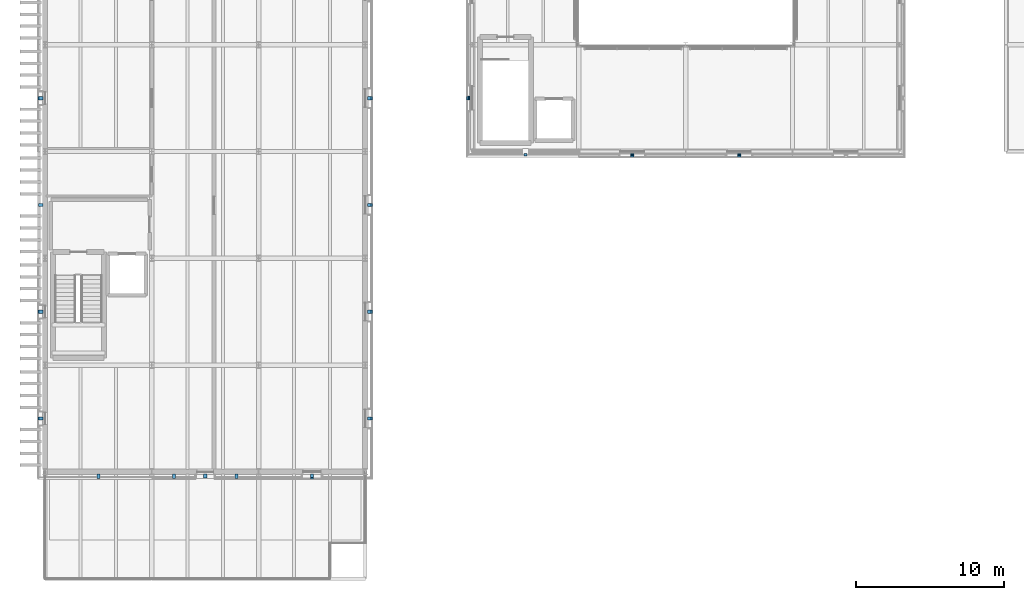
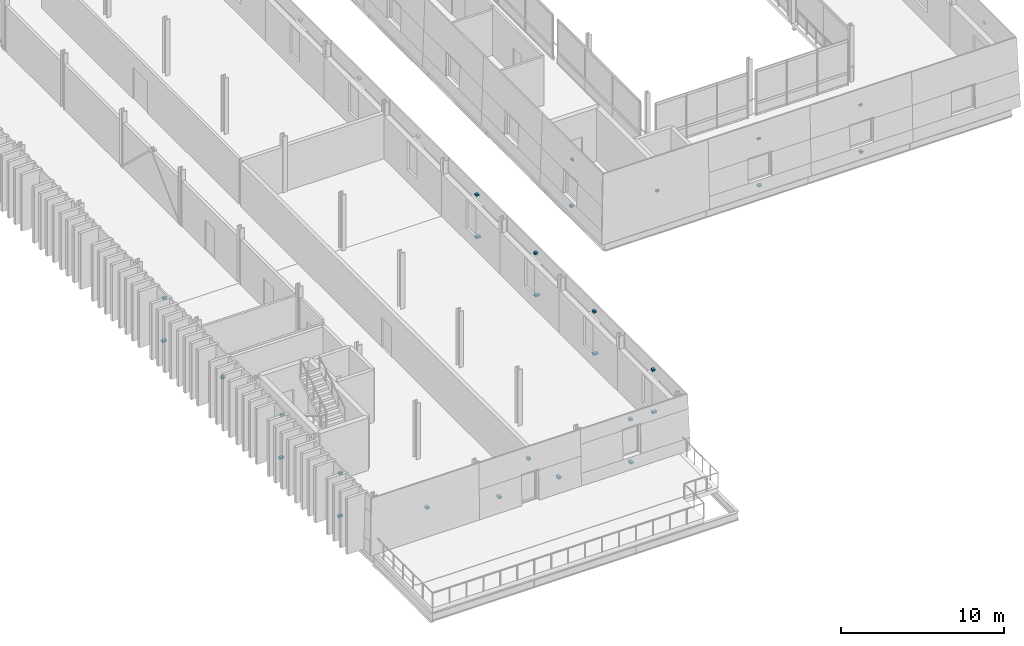
# One storey, part 51 of 66: 28 discrete accessories.
"""IFC4 building model written with IfcOpenShell, lengths in metres."""

from ifc_helpers import new_model, si_unit, direction, frame, origin, origin_2d, place, context, subcontext, project, spatial, rectangle, extrude, material, layer, layer_set, type_object, element, save


model = new_model("IFC4")

# Units and contexts
model_context = context("Model", 3, precision=1e-05, world=origin(), true_north=direction((0.0, 1.0)))
body_context = subcontext(model_context, "Body", "Model", "MODEL_VIEW")
ifc_project = project(units=[si_unit("LENGTHUNIT", "METRE"), si_unit("AREAUNIT", "SQUARE_METRE"), si_unit("VOLUMEUNIT", "CUBIC_METRE"), si_unit("PLANEANGLEUNIT", "RADIAN"), si_unit("MASSUNIT", "GRAM", prefix="KILO")], contexts=[model_context])

# Site, building, storey
site_placement = place(None, origin())
site = spatial("IfcSite", under=ifc_project, at=site_placement, CompositionType="ELEMENT")
building_placement = place(site_placement, origin())
building = spatial("IfcBuilding", under=site, at=building_placement, Name="Narikvali Park Central Library", CompositionType="ELEMENT")
storey_placement = place(building_placement, frame((0.0, 0.0, 18.60009765625)))
storey = spatial("IfcBuildingStorey", under=building, at=storey_placement, Name="L04", CompositionType="ELEMENT", Elevation=18.60009765625)

# Discrete accessories
ifc_material = material(Name="Brushed Stainless Steel S355", Category="steel")
ifc_layer = layer(ifc_material, 0.139892578125, Name="Brushed Stainless Steel S355")
ifc_layer_set = layer_set([ifc_layer], Name="Brushed Stainless Steel S355")
discrete_accessory_type = type_object("IfcDiscreteAccessoryType", Name="Cladding Stainless Tie-Back Corbel Bracket", PredefinedType="BRACKET", material=ifc_layer_set)
discrete_accessory_1_placement = place(storey_placement, frame((32.39990234375, 57.37158203125, 2.5048828125), z_axis=(0.0, 0.0, 1.0), x_axis=(1.0, 0.0, 0.0)))
element("IfcDiscreteAccessory", 1, at=discrete_accessory_1_placement, inside=storey, type_object=discrete_accessory_type, Name="Limestone Cladding Tie-Back Bracket V4-CLD-L04-S-B01-FULL", PredefinedType="BRACKET", context=body_context, shape_type="SweptSolid", body=[
    extrude(rectangle(XDim=0.219970703125, YDim=0.15673828125, at=origin_2d()), origin(), (0.0, 0.0, 1.0), 0.139892578125),
])
discrete_accessory_2_placement = place(storey_placement, frame((39.60009765625, 57.336181640625, 0.40478515625), z_axis=(0.0, 0.0, 1.0), x_axis=(1.0, 0.0, 0.0)))
element("IfcDiscreteAccessory", 2, at=discrete_accessory_2_placement, inside=storey, type_object=discrete_accessory_type, Name="Limestone Cladding Tie-Back Bracket V4-CLD-L04-S-B02-SP", PredefinedType="BRACKET", context=body_context, shape_type="SweptSolid", body=[
    extrude(rectangle(XDim=0.219970703125, YDim=0.2275390625, at=origin_2d()), origin(), (0.0, 0.0, 1.0), 0.139892578125),
])
discrete_accessory_3_placement = place(storey_placement, frame((39.60009765625, 57.394287109375, 3.85498046875), z_axis=(0.0, 0.0, 1.0), x_axis=(1.0, 0.0, 0.0)))
element("IfcDiscreteAccessory", 3, at=discrete_accessory_3_placement, inside=storey, type_object=discrete_accessory_type, Name="Limestone Cladding Tie-Back Bracket V4-CLD-L04-S-B02-LN", PredefinedType="BRACKET", context=body_context, shape_type="SweptSolid", body=[
    extrude(rectangle(XDim=0.219970703125, YDim=0.111083984375, at=origin_2d()), origin(), (0.0, 0.0, 1.0), 0.139892578125),
])
discrete_accessory_4_placement = place(storey_placement, frame((46.800048828125, 57.336181640625, 0.40478515625), z_axis=(0.0, 0.0, 1.0), x_axis=(1.0, 0.0, 0.0)))
element("IfcDiscreteAccessory", 4, at=discrete_accessory_4_placement, inside=storey, type_object=discrete_accessory_type, Name="Limestone Cladding Tie-Back Bracket V4-CLD-L04-S-B03-SP", PredefinedType="BRACKET", context=body_context, shape_type="SweptSolid", body=[
    extrude(rectangle(XDim=0.219970703125, YDim=0.2275390625, at=origin_2d()), origin(), (0.0, 0.0, 1.0), 0.139892578125),
])
discrete_accessory_5_placement = place(storey_placement, frame((46.800048828125, 57.394287109375, 3.85498046875), z_axis=(0.0, 0.0, 1.0), x_axis=(1.0, 0.0, 0.0)))
element("IfcDiscreteAccessory", 5, at=discrete_accessory_5_placement, inside=storey, type_object=discrete_accessory_type, Name="Limestone Cladding Tie-Back Bracket V4-CLD-L04-S-B03-LN", PredefinedType="BRACKET", context=body_context, shape_type="SweptSolid", body=[
    extrude(rectangle(XDim=0.219970703125, YDim=0.111083984375, at=origin_2d()), origin(), (0.0, 0.0, 1.0), 0.139892578125),
])
discrete_accessory_6_placement = place(storey_placement, frame((28.5361328125, 61.199951171875, 0.40478515625), z_axis=(0.0, 0.0, 1.0), x_axis=(1.0, 0.0, 0.0)))
element("IfcDiscreteAccessory", 6, at=discrete_accessory_6_placement, inside=storey, type_object=discrete_accessory_type, Name="Limestone Cladding Tie-Back Bracket V4-CLD-L04-W-B06-SP", PredefinedType="BRACKET", context=body_context, shape_type="SweptSolid", body=[
    extrude(rectangle(XDim=0.2275390625, YDim=0.219970703125, at=origin_2d()), origin(), (0.0, 0.0, 1.0), 0.139892578125),
])
discrete_accessory_7_placement = place(storey_placement, frame((28.594482421875, 61.199951171875, 3.85498046875), z_axis=(0.0, 0.0, 1.0), x_axis=(1.0, 0.0, 0.0)))
element("IfcDiscreteAccessory", 7, at=discrete_accessory_7_placement, inside=storey, type_object=discrete_accessory_type, Name="Limestone Cladding Tie-Back Bracket V4-CLD-L04-W-B06-LN", PredefinedType="BRACKET", context=body_context, shape_type="SweptSolid", body=[
    extrude(rectangle(XDim=0.111083984375, YDim=0.219970703125, at=origin_2d()), origin(), (0.0, 0.0, 1.0), 0.139892578125),
])
discrete_accessory_8_placement = place(storey_placement, frame((3.60009765625, 35.70849609375, 2.02978515625), z_axis=(0.0, 0.0, 1.0), x_axis=(1.0, 0.0, 0.0)))
element("IfcDiscreteAccessory", 8, at=discrete_accessory_8_placement, inside=storey, type_object=discrete_accessory_type, Name="Limestone Cladding Tie-Back Bracket V5-CLD-L04-S-B01-FULL", PredefinedType="BRACKET", context=body_context, shape_type="SweptSolid", body=[
    extrude(rectangle(XDim=0.219970703125, YDim=0.28271484375, at=origin_2d()), origin(), (0.0, 0.0, 1.0), 0.139892578125),
])
for number, where, z_axis, x_axis, name in (
    (9, (8.695068359375, 35.694580078125, 1.0498046875), (0.0, 0.0, 1.0), (1.0, 0.0, 0.0), "Limestone Cladding Tie-Back Bracket V5-CLD-L04-S-B02-DL"),
    (10, (12.905029296875, 35.694580078125, 1.0498046875), (0.0, 0.0, 1.0), (1.0, 0.0, 0.0), "Limestone Cladding Tie-Back Bracket V5-CLD-L04-S-B02-DR"),
):
    element("IfcDiscreteAccessory", number, at=place(storey_placement, frame(where, z_axis=z_axis, x_axis=x_axis)), inside=storey, type_object=discrete_accessory_type, Name=name, PredefinedType="BRACKET", context=body_context, shape_type="SweptSolid", body=[
        extrude(rectangle(XDim=0.219970703125, YDim=0.310546875, at=origin_2d()), origin(), (0.0, 0.0, 1.0), 0.139892578125),
    ])
discrete_accessory_9_placement = place(storey_placement, frame((10.800048828125, 35.724609375, 3.14990234375), z_axis=(0.0, 0.0, 1.0), x_axis=(1.0, 0.0, 0.0)))
element("IfcDiscreteAccessory", 11, at=discrete_accessory_9_placement, inside=storey, type_object=discrete_accessory_type, Name="Limestone Cladding Tie-Back Bracket V5-CLD-L04-S-B02-DH", PredefinedType="BRACKET", context=body_context, shape_type="SweptSolid", body=[
    extrude(rectangle(XDim=0.219970703125, YDim=0.2509765625, at=origin_2d()), origin(), (0.0, 0.0, 1.0), 0.139892578125),
])
discrete_accessory_10_placement = place(storey_placement, frame((18.0, 35.685546875, 0.40478515625), z_axis=(0.0, 0.0, 1.0), x_axis=(1.0, 0.0, 0.0)))
element("IfcDiscreteAccessory", 12, at=discrete_accessory_10_placement, inside=storey, type_object=discrete_accessory_type, Name="Limestone Cladding Tie-Back Bracket V5-CLD-L04-S-B03-SP", PredefinedType="BRACKET", context=body_context, shape_type="SweptSolid", body=[
    extrude(rectangle(XDim=0.219970703125, YDim=0.328857421875, at=origin_2d()), origin(), (0.0, 0.0, 1.0), 0.139892578125),
])
discrete_accessory_11_placement = place(storey_placement, frame((18.0, 35.730712890625, 3.580078125), z_axis=(0.0, 0.0, 1.0), x_axis=(1.0, 0.0, 0.0)))
element("IfcDiscreteAccessory", 13, at=discrete_accessory_11_placement, inside=storey, type_object=discrete_accessory_type, Name="Limestone Cladding Tie-Back Bracket V5-CLD-L04-S-B03-LN", PredefinedType="BRACKET", context=body_context, shape_type="SweptSolid", body=[
    extrude(rectangle(XDim=0.219970703125, YDim=0.23876953125, at=origin_2d()), origin(), (0.0, 0.0, 1.0), 0.139892578125),
])
discrete_accessory_12_placement = place(storey_placement, frame((21.914306640625, 39.60009765625, 0.40478515625), z_axis=(0.0, 0.0, 1.0), x_axis=(1.0, 0.0, 0.0)))
element("IfcDiscreteAccessory", 14, at=discrete_accessory_12_placement, inside=storey, type_object=discrete_accessory_type, Name="Limestone Cladding Tie-Back Bracket V5-CLD-L04-E-B01-SP", PredefinedType="BRACKET", context=body_context, shape_type="SweptSolid", body=[
    extrude(rectangle(XDim=0.328857421875, YDim=0.219970703125, at=origin_2d()), origin(), (0.0, 0.0, 1.0), 0.139892578125),
])
discrete_accessory_13_placement = place(storey_placement, frame((21.869384765625, 39.60009765625, 3.580078125), z_axis=(0.0, 0.0, 1.0), x_axis=(1.0, 0.0, 0.0)))
element("IfcDiscreteAccessory", 15, at=discrete_accessory_13_placement, inside=storey, type_object=discrete_accessory_type, Name="Limestone Cladding Tie-Back Bracket V5-CLD-L04-E-B01-LN", PredefinedType="BRACKET", context=body_context, shape_type="SweptSolid", body=[
    extrude(rectangle(XDim=0.23876953125, YDim=0.219970703125, at=origin_2d()), origin(), (0.0, 0.0, 1.0), 0.139892578125),
])
discrete_accessory_14_placement = place(storey_placement, frame((21.914306640625, 46.800048828125, 0.40478515625), z_axis=(0.0, 0.0, 1.0), x_axis=(1.0, 0.0, 0.0)))
element("IfcDiscreteAccessory", 16, at=discrete_accessory_14_placement, inside=storey, type_object=discrete_accessory_type, Name="Limestone Cladding Tie-Back Bracket V5-CLD-L04-E-B02-SP", PredefinedType="BRACKET", context=body_context, shape_type="SweptSolid", body=[
    extrude(rectangle(XDim=0.328857421875, YDim=0.219970703125, at=origin_2d()), origin(), (0.0, 0.0, 1.0), 0.139892578125),
])
discrete_accessory_15_placement = place(storey_placement, frame((21.869384765625, 46.800048828125, 3.580078125), z_axis=(0.0, 0.0, 1.0), x_axis=(1.0, 0.0, 0.0)))
element("IfcDiscreteAccessory", 17, at=discrete_accessory_15_placement, inside=storey, type_object=discrete_accessory_type, Name="Limestone Cladding Tie-Back Bracket V5-CLD-L04-E-B02-LN", PredefinedType="BRACKET", context=body_context, shape_type="SweptSolid", body=[
    extrude(rectangle(XDim=0.23876953125, YDim=0.219970703125, at=origin_2d()), origin(), (0.0, 0.0, 1.0), 0.139892578125),
])
discrete_accessory_16_placement = place(storey_placement, frame((21.914306640625, 54.0, 0.40478515625), z_axis=(0.0, 0.0, 1.0), x_axis=(1.0, 0.0, 0.0)))
element("IfcDiscreteAccessory", 18, at=discrete_accessory_16_placement, inside=storey, type_object=discrete_accessory_type, Name="Limestone Cladding Tie-Back Bracket V5-CLD-L04-E-B03-SP", PredefinedType="BRACKET", context=body_context, shape_type="SweptSolid", body=[
    extrude(rectangle(XDim=0.328857421875, YDim=0.219970703125, at=origin_2d()), origin(), (0.0, 0.0, 1.0), 0.139892578125),
])
discrete_accessory_17_placement = place(storey_placement, frame((21.869384765625, 54.0, 3.580078125), z_axis=(0.0, 0.0, 1.0), x_axis=(1.0, 0.0, 0.0)))
element("IfcDiscreteAccessory", 19, at=discrete_accessory_17_placement, inside=storey, type_object=discrete_accessory_type, Name="Limestone Cladding Tie-Back Bracket V5-CLD-L04-E-B03-LN", PredefinedType="BRACKET", context=body_context, shape_type="SweptSolid", body=[
    extrude(rectangle(XDim=0.23876953125, YDim=0.219970703125, at=origin_2d()), origin(), (0.0, 0.0, 1.0), 0.139892578125),
])
discrete_accessory_18_placement = place(storey_placement, frame((21.914306640625, 61.199951171875, 0.40478515625), z_axis=(0.0, 0.0, 1.0), x_axis=(1.0, 0.0, 0.0)))
element("IfcDiscreteAccessory", 20, at=discrete_accessory_18_placement, inside=storey, type_object=discrete_accessory_type, Name="Limestone Cladding Tie-Back Bracket V5-CLD-L04-E-B04-SP", PredefinedType="BRACKET", context=body_context, shape_type="SweptSolid", body=[
    extrude(rectangle(XDim=0.328857421875, YDim=0.219970703125, at=origin_2d()), origin(), (0.0, 0.0, 1.0), 0.139892578125),
])
discrete_accessory_19_placement = place(storey_placement, frame((21.869384765625, 61.199951171875, 3.580078125), z_axis=(0.0, 0.0, 1.0), x_axis=(1.0, 0.0, 0.0)))
element("IfcDiscreteAccessory", 21, at=discrete_accessory_19_placement, inside=storey, type_object=discrete_accessory_type, Name="Limestone Cladding Tie-Back Bracket V5-CLD-L04-E-B04-LN", PredefinedType="BRACKET", context=body_context, shape_type="SweptSolid", body=[
    extrude(rectangle(XDim=0.23876953125, YDim=0.219970703125, at=origin_2d()), origin(), (0.0, 0.0, 1.0), 0.139892578125),
])
discrete_accessory_20_placement = place(storey_placement, frame((-0.314453125, 61.199951171875, 0.40478515625), z_axis=(0.0, 0.0, 1.0), x_axis=(1.0, 0.0, 0.0)))
element("IfcDiscreteAccessory", 22, at=discrete_accessory_20_placement, inside=storey, type_object=discrete_accessory_type, Name="Limestone Cladding Tie-Back Bracket V5-CLD-L04-W-B07-SP", PredefinedType="BRACKET", context=body_context, shape_type="SweptSolid", body=[
    extrude(rectangle(XDim=0.328857421875, YDim=0.219970703125, at=origin_2d()), origin(), (0.0, 0.0, 1.0), 0.139892578125),
])
discrete_accessory_21_placement = place(storey_placement, frame((-0.269287109375, 61.199951171875, 3.580078125), z_axis=(0.0, 0.0, 1.0), x_axis=(1.0, 0.0, 0.0)))
element("IfcDiscreteAccessory", 23, at=discrete_accessory_21_placement, inside=storey, type_object=discrete_accessory_type, Name="Limestone Cladding Tie-Back Bracket V5-CLD-L04-W-B07-LN", PredefinedType="BRACKET", context=body_context, shape_type="SweptSolid", body=[
    extrude(rectangle(XDim=0.23876953125, YDim=0.219970703125, at=origin_2d()), origin(), (0.0, 0.0, 1.0), 0.139892578125),
])
discrete_accessory_22_placement = place(storey_placement, frame((-0.29150390625, 54.0, 2.02978515625), z_axis=(0.0, 0.0, 1.0), x_axis=(1.0, 0.0, 0.0)))
element("IfcDiscreteAccessory", 24, at=discrete_accessory_22_placement, inside=storey, type_object=discrete_accessory_type, Name="Limestone Cladding Tie-Back Bracket V5-CLD-L04-W-B08-FULL", PredefinedType="BRACKET", context=body_context, shape_type="SweptSolid", body=[
    extrude(rectangle(XDim=0.28271484375, YDim=0.219970703125, at=origin_2d()), origin(), (0.0, 0.0, 1.0), 0.139892578125),
])
discrete_accessory_23_placement = place(storey_placement, frame((-0.314453125, 46.800048828125, 0.40478515625), z_axis=(0.0, 0.0, 1.0), x_axis=(1.0, 0.0, 0.0)))
element("IfcDiscreteAccessory", 25, at=discrete_accessory_23_placement, inside=storey, type_object=discrete_accessory_type, Name="Limestone Cladding Tie-Back Bracket V5-CLD-L04-W-B09-SP", PredefinedType="BRACKET", context=body_context, shape_type="SweptSolid", body=[
    extrude(rectangle(XDim=0.328857421875, YDim=0.219970703125, at=origin_2d()), origin(), (0.0, 0.0, 1.0), 0.139892578125),
])
discrete_accessory_24_placement = place(storey_placement, frame((-0.269287109375, 46.800048828125, 3.580078125), z_axis=(0.0, 0.0, 1.0), x_axis=(1.0, 0.0, 0.0)))
element("IfcDiscreteAccessory", 26, at=discrete_accessory_24_placement, inside=storey, type_object=discrete_accessory_type, Name="Limestone Cladding Tie-Back Bracket V5-CLD-L04-W-B09-LN", PredefinedType="BRACKET", context=body_context, shape_type="SweptSolid", body=[
    extrude(rectangle(XDim=0.23876953125, YDim=0.219970703125, at=origin_2d()), origin(), (0.0, 0.0, 1.0), 0.139892578125),
])
discrete_accessory_25_placement = place(storey_placement, frame((-0.314453125, 39.60009765625, 0.40478515625), z_axis=(0.0, 0.0, 1.0), x_axis=(1.0, 0.0, 0.0)))
element("IfcDiscreteAccessory", 27, at=discrete_accessory_25_placement, inside=storey, type_object=discrete_accessory_type, Name="Limestone Cladding Tie-Back Bracket V5-CLD-L04-W-B10-SP", PredefinedType="BRACKET", context=body_context, shape_type="SweptSolid", body=[
    extrude(rectangle(XDim=0.328857421875, YDim=0.219970703125, at=origin_2d()), origin(), (0.0, 0.0, 1.0), 0.139892578125),
])
discrete_accessory_26_placement = place(storey_placement, frame((-0.269287109375, 39.60009765625, 3.580078125), z_axis=(0.0, 0.0, 1.0), x_axis=(1.0, 0.0, 0.0)))
element("IfcDiscreteAccessory", 28, at=discrete_accessory_26_placement, inside=storey, type_object=discrete_accessory_type, Name="Limestone Cladding Tie-Back Bracket V5-CLD-L04-W-B10-LN", PredefinedType="BRACKET", context=body_context, shape_type="SweptSolid", body=[
    extrude(rectangle(XDim=0.23876953125, YDim=0.219970703125, at=origin_2d()), origin(), (0.0, 0.0, 1.0), 0.139892578125),
])

save(model, "model.ifc")
